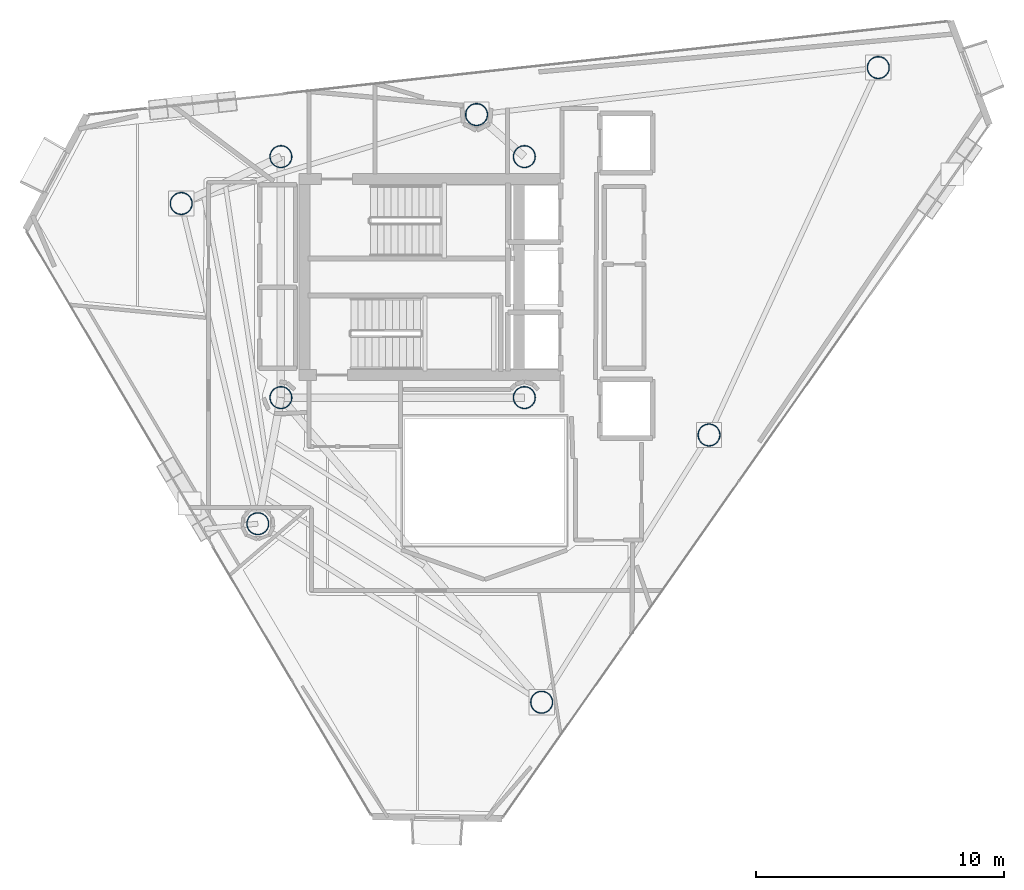
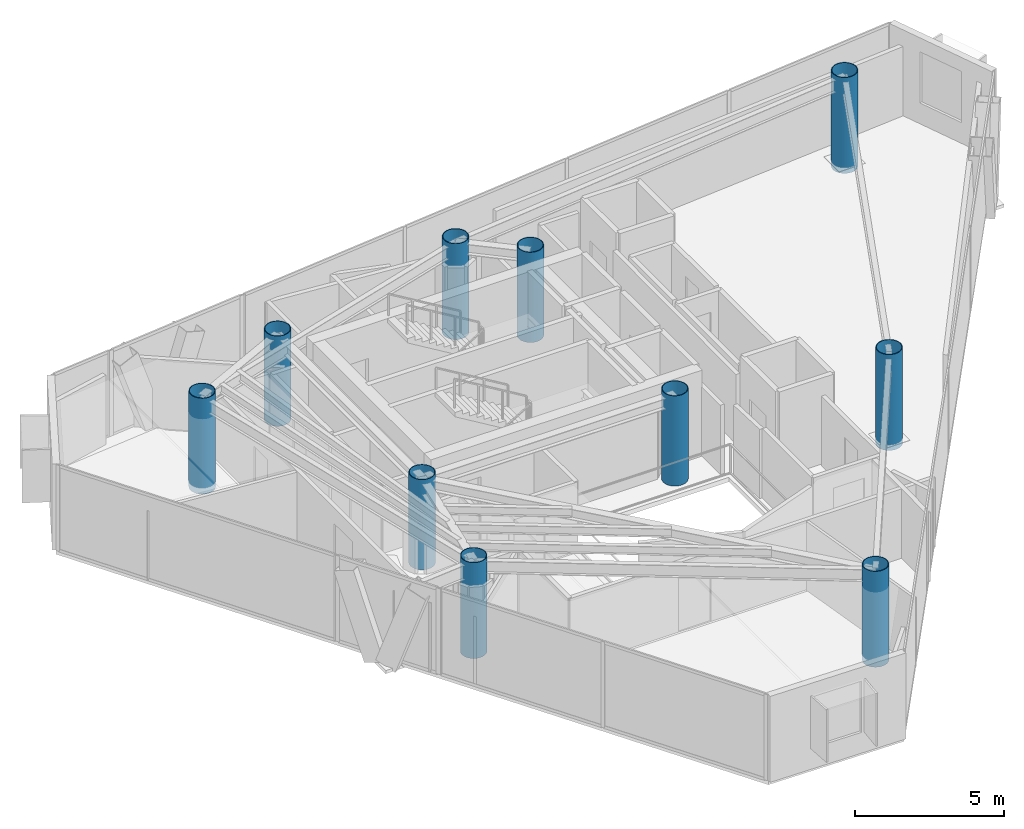
# One storey, part 1 of 19: 10 columns.
"""IFC4 building model written with IfcOpenShell, lengths in metres."""

import ifcopenshell
import ifcopenshell.guid

model = None  # the IFC model being written
_history = None  # IfcOwnerHistory: only IFC2X3 demands one
_inside = {}  # id of a spatial element -> (the spatial element, [elements in it])
_under = {}  # id of a project, library or spatial element -> (it, [spatial elements below it])
_declared = {}  # id of a project -> (the project, [libraries it declares])
_typed = {}  # id of a type object -> (the type object, [elements of that type])
_made_of = {}  # id of a material, layer set ... -> (it, [elements and type objects made of it])


def new_model(schema):
    """Start an empty IFC model of exactly this schema.

    Asked for "IFC4X3", IfcOpenShell would pick the latest addendum, in which some entities
    have other attributes; the version numbers below select the first issue.
    IFC2X3 requires an IfcOwnerHistory on every rooted entity: one is made here for all.
    """
    global model, _history
    if schema == "IFC4X3":
        model = ifcopenshell.file(schema_version=(4, 3, 0, 0))
    else:
        model = ifcopenshell.file(schema=schema)
    _inside.clear()
    _under.clear()
    _declared.clear()
    _typed.clear()
    _made_of.clear()
    _history = None
    if model.schema == "IFC2X3":
        org = make("IfcOrganization", Name="unknown")
        user = make(
            "IfcPersonAndOrganization",
            ThePerson=make("IfcPerson", FamilyName="unknown"),
            TheOrganization=org,
        )
        app = make(
            "IfcApplication",
            ApplicationDeveloper=org,
            Version="unknown",
            ApplicationFullName="unknown",
            ApplicationIdentifier="unknown",
        )
        _history = make(
            "IfcOwnerHistory",
            OwningUser=user,
            OwningApplication=app,
            ChangeAction="ADDED",
            CreationDate=0,
        )
    return model


def make(cls, **values):
    """One entity of the class cls with the attributes given. An attribute that is None is left unset."""
    return model.create_entity(
        cls, **{name: value for name, value in values.items() if value is not None}
    )


def rooted(cls, **values):
    """An entity with a GlobalId (a new one), such as an element, a storey or a relation."""
    return make(cls, GlobalId=ifcopenshell.guid.new(), OwnerHistory=_history, **values)


def si_unit(unit_type, name, prefix=None):
    """IfcSIUnit, for example si_unit("LENGTHUNIT", "METRE", prefix="MILLI")."""
    return make("IfcSIUnit", UnitType=unit_type, Prefix=prefix, Name=name)


def assignment(units):
    """IfcUnitAssignment: the units of a project."""
    return None if units is None else make("IfcUnitAssignment", Units=units)


def point(xyz):
    """IfcCartesianPoint."""
    return None if xyz is None else make("IfcCartesianPoint", Coordinates=xyz)


def direction(xyz):
    """IfcDirection."""
    return None if xyz is None else make("IfcDirection", DirectionRatios=xyz)


def frame(location, z_axis=None, x_axis=None):
    """IfcAxis2Placement3D, a coordinate frame: its origin and axes. An axis left out is left unset."""
    return make(
        "IfcAxis2Placement3D",
        Location=point(location),
        Axis=direction(z_axis),
        RefDirection=direction(x_axis),
    )


def frame_2d(location, x_axis=None):
    """IfcAxis2Placement2D, a coordinate frame in the plane: its origin and x axis."""
    return make(
        "IfcAxis2Placement2D", Location=point(location), RefDirection=direction(x_axis)
    )


def origin():
    """The frame at (0, 0, 0) with its axes left unset."""
    return frame((0.0, 0.0, 0.0))


def origin_2d():
    """The frame at (0, 0) in the plane with its x axis left unset."""
    return frame_2d((0.0, 0.0))


def place(relative_to, where):
    """IfcLocalPlacement: puts the frame where relative to a parent placement (None: the world)."""
    return make(
        "IfcLocalPlacement", PlacementRelTo=relative_to, RelativePlacement=where
    )


def context(
    kind, dimensions, precision=None, world=None, true_north=None, identifier=None
):
    """IfcGeometricRepresentationContext, for example the 3D "Model" context."""
    return make(
        "IfcGeometricRepresentationContext",
        ContextIdentifier=identifier,
        ContextType=kind,
        CoordinateSpaceDimension=dimensions,
        Precision=precision,
        WorldCoordinateSystem=world,
        TrueNorth=true_north,
    )


def subcontext(parent, identifier, kind, view, scale=None):
    """IfcGeometricRepresentationSubContext, for example "Body" below "Model"."""
    return make(
        "IfcGeometricRepresentationSubContext",
        ContextIdentifier=identifier,
        ContextType=kind,
        ParentContext=parent,
        TargetScale=scale,
        TargetView=view,
    )


def project(units=None, contexts=None):
    """IfcProject with its units and contexts."""
    return rooted(
        "IfcProject",
        Name="project",
        RepresentationContexts=contexts,
        UnitsInContext=assignment(units),
    )


def spatial(cls, under=None, at=None, **own):
    """A site, building, storey or space (cls), placed at a placement, below another one or the project."""
    s = rooted(cls, ObjectPlacement=at, **own)
    if under is not None:
        _under.setdefault(under.id(), (under, []))[1].append(s)
    return s


def profile(cls, at=None, kind="AREA", **sizes):
    """A parametric profile (cls). Its sizes go by their IFC names, for example OverallWidth=200.0."""
    return make(cls, ProfileType=kind, Position=at, **sizes)


def hollow_circle(**sizes):
    """IfcCircleHollowProfileDef."""
    return profile("IfcCircleHollowProfileDef", **sizes)


def extrude(swept, where, along, depth):
    """IfcExtrudedAreaSolid: the profile swept, set in the frame where, extruded along a direction by depth."""
    return make(
        "IfcExtrudedAreaSolid",
        SweptArea=swept,
        Position=where,
        ExtrudedDirection=direction(along),
        Depth=depth,
    )


def shape(context_of_items, identifier, shape_type, items):
    """IfcShapeRepresentation: the items that make up one representation, for example the "Body"."""
    return make(
        "IfcShapeRepresentation",
        ContextOfItems=context_of_items,
        RepresentationIdentifier=identifier,
        RepresentationType=shape_type,
        Items=items,
    )


def material(Name=None, Category=None):
    """IfcMaterial."""
    return make("IfcMaterial", Name=Name, Category=Category)


def material_profile(
    of_material, cross_section, Name=None, Category=None, Priority=None
):
    """IfcMaterialProfile: a cross section and its material."""
    return make(
        "IfcMaterialProfile",
        Name=Name,
        Material=of_material,
        Profile=cross_section,
        Priority=Priority,
        Category=Category,
    )


def profile_set(profiles, Name=None, composite=None):
    """IfcMaterialProfileSet."""
    return make(
        "IfcMaterialProfileSet",
        Name=Name,
        MaterialProfiles=profiles,
        CompositeProfile=composite,
    )


def made_of(thing, what):
    """Note that an element or type object is made of a material, layer set ...; save() writes the relation."""
    if what is not None:
        _made_of.setdefault(what.id(), (what, []))[1].append(thing)
    return thing


def type_object(cls, material=None, **own):
    """A type object (cls), such as IfcWallType, which elements share."""
    return made_of(rooted(cls, **own), material)


def element(
    cls,
    number,
    at=None,
    inside=None,
    cuts=None,
    type_object=None,
    material=None,
    context=None,
    identifier="Body",
    shape_type=None,
    held_by="IfcProductDefinitionShape",
    body=None,
    shapes=None,
    **own,
):
    """One element of the class cls, such as IfcWall. Its Tag is "e" and its number.

    at: its placement. inside: the storey or other place that contains it. cuts: it is an
    opening in that element (IfcRelVoidsElement). A single representation is given by context,
    identifier, shape_type and body (its items); several are given by shapes. held_by: the class
    of the entity that holds the representations. save() writes the other relations.
    """
    e = rooted(cls, Tag="e%d" % number, ObjectPlacement=at, **own)
    if body is not None:
        shapes = [shape(context, identifier, shape_type, body)]
    if shapes is not None:
        e.Representation = make(held_by, Representations=shapes)
    if inside is not None:
        _inside.setdefault(inside.id(), (inside, []))[1].append(e)
    if cuts is not None:
        rooted(
            "IfcRelVoidsElement", RelatingBuildingElement=cuts, RelatedOpeningElement=e
        )
    if type_object is not None:
        _typed.setdefault(type_object.id(), (type_object, []))[1].append(e)
    return made_of(e, material)


def aggregate(whole, parts):
    """IfcRelAggregates: a whole, such as a stair, and the parts it consists of."""
    return rooted("IfcRelAggregates", RelatingObject=whole, RelatedObjects=parts)


def save(model, path):
    """Write the relations noted so far, then the file.

    IfcRelAggregates (storeys below a building ...), IfcRelContainedInSpatialStructure (elements
    in a storey), IfcRelDefinesByType, IfcRelAssociatesMaterial and IfcRelDeclares: one each for
    every whole, place, type object, material and project.
    """
    for whole, parts in _under.values():
        aggregate(whole, parts)
    for where, things in _inside.values():
        rooted(
            "IfcRelContainedInSpatialStructure",
            RelatedElements=things,
            RelatingStructure=where,
        )
    for kind, things in _typed.values():
        rooted("IfcRelDefinesByType", RelatedObjects=things, RelatingType=kind)
    for what, things in _made_of.values():
        rooted("IfcRelAssociatesMaterial", RelatedObjects=things, RelatingMaterial=what)
    for by, libraries in _declared.values():
        rooted("IfcRelDeclares", RelatingContext=by, RelatedDefinitions=libraries)
    model.write(path)


model = new_model("IFC4")

# Units and contexts
model_context = context("Model", 3, precision=1e-05, world=origin(), true_north=direction((0.0, 1.0)))
body_context = subcontext(model_context, "Body", "Model", "MODEL_VIEW")
ifc_project = project(units=[si_unit("LENGTHUNIT", "METRE"), si_unit("AREAUNIT", "SQUARE_METRE"), si_unit("VOLUMEUNIT", "CUBIC_METRE"), si_unit("PLANEANGLEUNIT", "RADIAN"), si_unit("MASSUNIT", "GRAM", prefix="KILO")], contexts=[model_context])

# Site, building, storey
site_placement = place(None, origin())
site = spatial("IfcSite", under=ifc_project, at=site_placement, CompositionType="ELEMENT")
building_placement = place(site_placement, origin())
building = spatial("IfcBuilding", under=site, at=building_placement, Name="Qianvela Tower", CompositionType="ELEMENT")
storey_placement = place(building_placement, frame((0.0, 0.0, 280.60009765625)))
storey = spatial("IfcBuildingStorey", under=building, at=storey_placement, Name="L72", CompositionType="ELEMENT", Elevation=280.60009765625)

# Columns
ifc_material = material(Name="Steel Q420GJC", Category="steel")
ifc_material_profile = material_profile(ifc_material, hollow_circle(Radius=0.449951171875, WallThickness=0.02490234375, at=origin_2d()), Name="CFT-900x25")
ifc_profile_set = profile_set([ifc_material_profile], Name="Steel Q420GJC")
column_type = type_object("IfcColumnType", Name="COL-CFT-900x25", PredefinedType="COLUMN", material=ifc_profile_set)
for number, where, z_axis, x_axis, name in (
    (1, (28.60009765625, 33.550048828125, 0.0), (0.0, 0.0, 1.0), (1.0, 0.0, 0.0), "L72 Core Corner Mega-Column CC-NW"),
    (2, (28.60009765625, 23.85009765625, 0.0), (0.0, 0.0, 1.0), (1.0, 0.0, 0.0), "L72 Core Corner Mega-Column CC-SW"),
    (3, (38.39990234375, 33.550048828125, 0.0), (0.0, 0.0, 1.0), (1.0, 0.0, 0.0), "L72 Core Corner Mega-Column CC-NE"),
    (4, (38.39990234375, 23.85009765625, 0.0), (0.0, 0.0, 1.0), (1.0, 0.0, 0.0), "L72 Core Corner Mega-Column CC-SE"),
):
    element("IfcColumn", number, at=place(storey_placement, frame(where, z_axis=z_axis, x_axis=x_axis)), inside=storey, type_object=column_type, Name=name, PredefinedType="COLUMN", context=body_context, shape_type="SweptSolid", body=[
        extrude(hollow_circle(Radius=0.449951171875, WallThickness=0.02490234375, at=origin_2d()), origin(), (0.0, 0.0, 1.0), 3.699951171875),
    ])
for number, where, z_axis, x_axis, name in (
    (5, (52.64794921875, 37.135009765625, -0.22998046875), (0.0, 0.0, 1.0), (1.0, 0.0, 0.0), "L72 Zone Z7 CFT Mega-Column C1"),
    (6, (36.47607421875, 35.242919921875, -0.22998046875), (0.0, 0.0, 1.0), (1.0, 0.0, 0.0), "L72 Zone Z7 CFT Mega-Column C2"),
    (7, (24.5869140625, 31.6630859375, -0.22998046875), (0.0, 0.0, 1.0), (1.0, 0.0, 0.0), "L72 Zone Z7 CFT Mega-Column C3"),
    (8, (27.669921875, 18.77392578125, -0.22998046875), (0.0, 0.0, 1.0), (1.0, 0.0, 0.0), "L72 Zone Z7 CFT Mega-Column C4"),
    (9, (39.095947265625, 11.587890625, -0.22998046875), (0.0, 0.0, 1.0), (1.0, 0.0, 0.0), "L72 Zone Z7 CFT Mega-Column C5"),
    (10, (45.833984375, 22.344970703125, -0.22998046875), (0.0, 0.0, 1.0), (1.0, 0.0, 0.0), "L72 Zone Z7 CFT Mega-Column C6"),
):
    element("IfcColumn", number, at=place(storey_placement, frame(where, z_axis=z_axis, x_axis=x_axis)), inside=storey, type_object=column_type, Name=name, PredefinedType="COLUMN", context=body_context, shape_type="SweptSolid", body=[
        extrude(hollow_circle(Radius=0.449951171875, WallThickness=0.02490234375, at=origin_2d()), origin(), (0.0, 0.0, 1.0), 3.929931640625),
    ])

save(model, "model.ifc")
